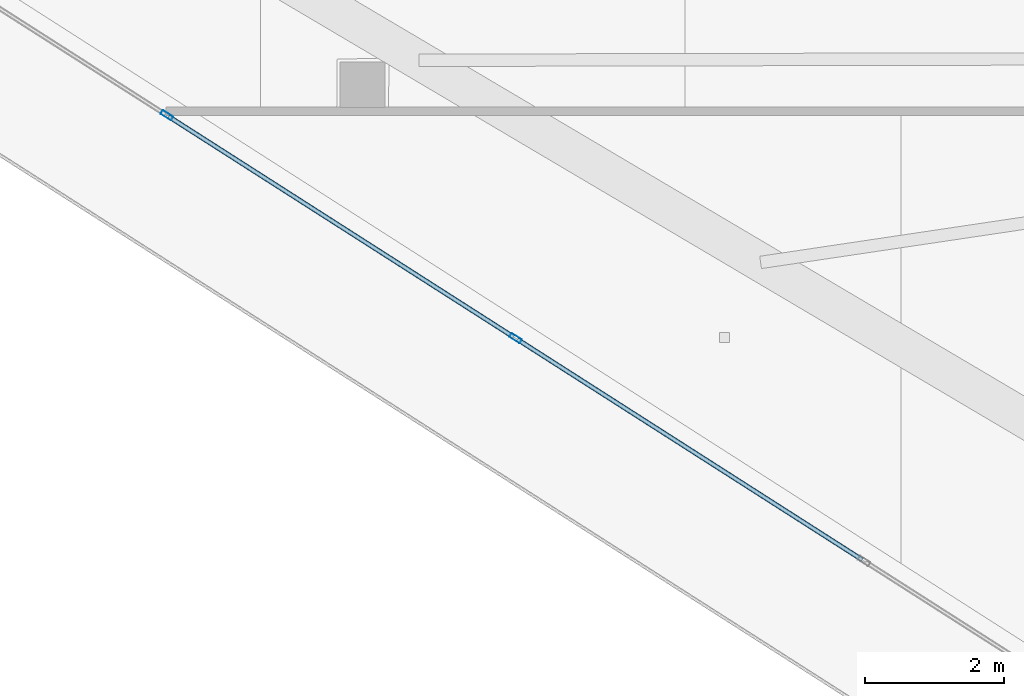
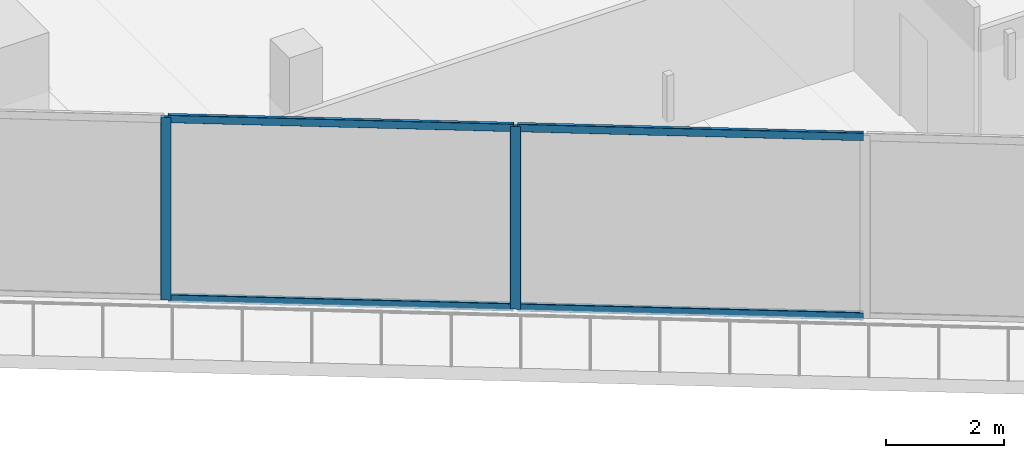
# One storey, part 4 of 39: 6 members, 1 element without a shape of its own.
"""IFC4 building model written with IfcOpenShell, lengths in metres."""

from ifc_helpers import new_model, si_unit, direction, frame, origin, origin_2d, place, context, subcontext, project, spatial, hollow_rectangle, extrude, material, layer, layer_set, material_profile, profile_set, type_object, element, aggregate, save


model = new_model("IFC4")

# Units and contexts
model_context = context("Model", 3, precision=1e-05, world=origin(), true_north=direction((0.0, 1.0)))
body_context = subcontext(model_context, "Body", "Model", "MODEL_VIEW")
ifc_project = project(units=[si_unit("LENGTHUNIT", "METRE"), si_unit("AREAUNIT", "SQUARE_METRE"), si_unit("VOLUMEUNIT", "CUBIC_METRE"), si_unit("PLANEANGLEUNIT", "RADIAN"), si_unit("MASSUNIT", "GRAM", prefix="KILO")], contexts=[model_context])

# Site, building, storey
site_placement = place(None, origin())
site = spatial("IfcSite", under=ifc_project, at=site_placement, CompositionType="ELEMENT")
building_placement = place(site_placement, origin())
building = spatial("IfcBuilding", under=site, at=building_placement, Name="Qorvath Tower", CompositionType="ELEMENT")
storey_placement = place(building_placement, frame((0.0, 0.0, 162.449951171875)))
storey = spatial("IfcBuildingStorey", under=building, at=storey_placement, Name="L37", CompositionType="ELEMENT", Elevation=162.449951171875)

# Curtain wall, members
ifc_material_1 = material(Name="Anodised aluminium and triple low-E glass", Category="aluminium")
ifc_layer = layer(ifc_material_1, 0.179931640625)
ifc_layer_set = layer_set([ifc_layer], Name="CW-SYS-3")
curtain_wall_type = type_object("IfcCurtainWallType", Name="CW-SYS-3", PredefinedType="NOTDEFINED", material=ifc_layer_set)
curtain_wall_placement = place(storey_placement, origin())
curtain_wall = element("IfcCurtainWall", 1, at=curtain_wall_placement, inside=storey, type_object=curtain_wall_type, Name="Curtain Wall CW-3 CW-T-L37-2.1", PredefinedType="NOTDEFINED")
ifc_material_2 = material(Name="Anodised aluminium 6063-T6", Category="aluminium")
ifc_material_profile_1 = material_profile(ifc_material_2, hollow_rectangle(XDim=0.06494140625, YDim=0.179931640625, WallThickness=0.00341796875, InnerFilletRadius=0.00341796875, OuterFilletRadius=0.007080078125, at=origin_2d()), Name="CWM 180x65")
ifc_profile_set_1 = profile_set([ifc_material_profile_1], Name="Anodised aluminium 6063-T6")
member_type_1 = type_object("IfcMemberType", Name="CWM-180", PredefinedType="MULLION", material=ifc_profile_set_1)
member_1_placement = place(storey_placement, frame((-51.383056640625, -6.86181640625, 0.0), z_axis=(0.0, 0.0, 1.0), x_axis=(0.538533895245, 0.842603847411, 0.0)))
member_1 = element("IfcMember", 2, at=member_1_placement, type_object=member_type_1, Name="CW-3 mullion 2", PredefinedType="MULLION", context=body_context, shape_type="SweptSolid", body=[
    extrude(hollow_rectangle(XDim=0.06494140625, YDim=0.179931640625, WallThickness=0.00341796875, InnerFilletRadius=0.00341796875, OuterFilletRadius=0.007080078125, at=origin_2d()), origin(), (0.0, 0.0, 1.0), 3.780029296875),
])
member_2_placement = place(storey_placement, frame((-46.3837890625, -10.05712890625, 0.0), z_axis=(0.0, 0.0, 1.0), x_axis=(0.538533895245, 0.842603847411, 0.0)))
member_2 = element("IfcMember", 3, at=member_2_placement, type_object=member_type_1, Name="CW-3 mullion 3", PredefinedType="MULLION", context=body_context, shape_type="SweptSolid", body=[
    extrude(hollow_rectangle(XDim=0.06494140625, YDim=0.179931640625, WallThickness=0.00341796875, InnerFilletRadius=0.00341796875, OuterFilletRadius=0.007080078125, at=origin_2d()), origin(), (0.0, 0.0, 1.0), 3.780029296875),
])
ifc_material_3 = material(Name="Anodised aluminium 6063-T6", Category="aluminium")
ifc_material_profile_2 = material_profile(ifc_material_3, hollow_rectangle(XDim=0.06494140625, YDim=0.159912109375, WallThickness=0.00341796875, InnerFilletRadius=0.00341796875, OuterFilletRadius=0.007080078125, at=origin_2d()), Name="CWT 160x65")
ifc_profile_set_2 = profile_set([ifc_material_profile_2], Name="Anodised aluminium 6063-T6")
member_type_2 = type_object("IfcMemberType", Name="CWT-160", PredefinedType="USERDEFINED", material=ifc_profile_set_2)
member_3_placement = place(storey_placement, frame((-51.355712890625, -6.87939453125, 0.032470703125), z_axis=(0.842609735006, -0.538524683253, 0.0), x_axis=(0.538524683253, 0.842609735006, 0.0)))
member_3 = element("IfcMember", 4, at=member_3_placement, type_object=member_type_2, Name="CW-3 transom 2.1", ObjectType="TRANSOM", PredefinedType="USERDEFINED", context=body_context, shape_type="SweptSolid", body=[
    extrude(hollow_rectangle(XDim=0.06494140625, YDim=0.159912109375, WallThickness=0.00341796875, InnerFilletRadius=0.00341796875, OuterFilletRadius=0.007080078125, at=origin_2d()), origin(), (0.0, 0.0, 1.0), 5.8681640625),
])
member_4_placement = place(storey_placement, frame((-51.355712890625, -6.87939453125, 3.74755859375), z_axis=(0.842609735006, -0.538524683253, 0.0), x_axis=(0.538524683253, 0.842609735006, 0.0)))
member_4 = element("IfcMember", 5, at=member_4_placement, type_object=member_type_2, Name="CW-3 transom 2.2", ObjectType="TRANSOM", PredefinedType="USERDEFINED", context=body_context, shape_type="SweptSolid", body=[
    extrude(hollow_rectangle(XDim=0.06494140625, YDim=0.159912109375, WallThickness=0.00341796875, InnerFilletRadius=0.00341796875, OuterFilletRadius=0.007080078125, at=origin_2d()), origin(), (0.0, 0.0, 1.0), 5.8681640625),
])
member_5_placement = place(storey_placement, frame((-46.3564453125, -10.074462890625, 0.032470703125), z_axis=(0.842609735006, -0.538524683253, 0.0), x_axis=(0.538524683253, 0.842609735006, 0.0)))
member_5 = element("IfcMember", 6, at=member_5_placement, type_object=member_type_2, Name="CW-3 transom 3.1", ObjectType="TRANSOM", PredefinedType="USERDEFINED", context=body_context, shape_type="SweptSolid", body=[
    extrude(hollow_rectangle(XDim=0.06494140625, YDim=0.159912109375, WallThickness=0.00341796875, InnerFilletRadius=0.00341796875, OuterFilletRadius=0.007080078125, at=origin_2d()), origin(), (0.0, 0.0, 1.0), 5.8681640625),
])
member_6_placement = place(storey_placement, frame((-46.3564453125, -10.074462890625, 3.74755859375), z_axis=(0.842609735006, -0.538524683253, 0.0), x_axis=(0.538524683253, 0.842609735006, 0.0)))
member_6 = element("IfcMember", 7, at=member_6_placement, type_object=member_type_2, Name="CW-3 transom 3.2", ObjectType="TRANSOM", PredefinedType="USERDEFINED", context=body_context, shape_type="SweptSolid", body=[
    extrude(hollow_rectangle(XDim=0.06494140625, YDim=0.159912109375, WallThickness=0.00341796875, InnerFilletRadius=0.00341796875, OuterFilletRadius=0.007080078125, at=origin_2d()), origin(), (0.0, 0.0, 1.0), 5.8681640625),
])
aggregate(curtain_wall, [member_1, member_2, member_3, member_4, member_5, member_6])

save(model, "model.ifc")
